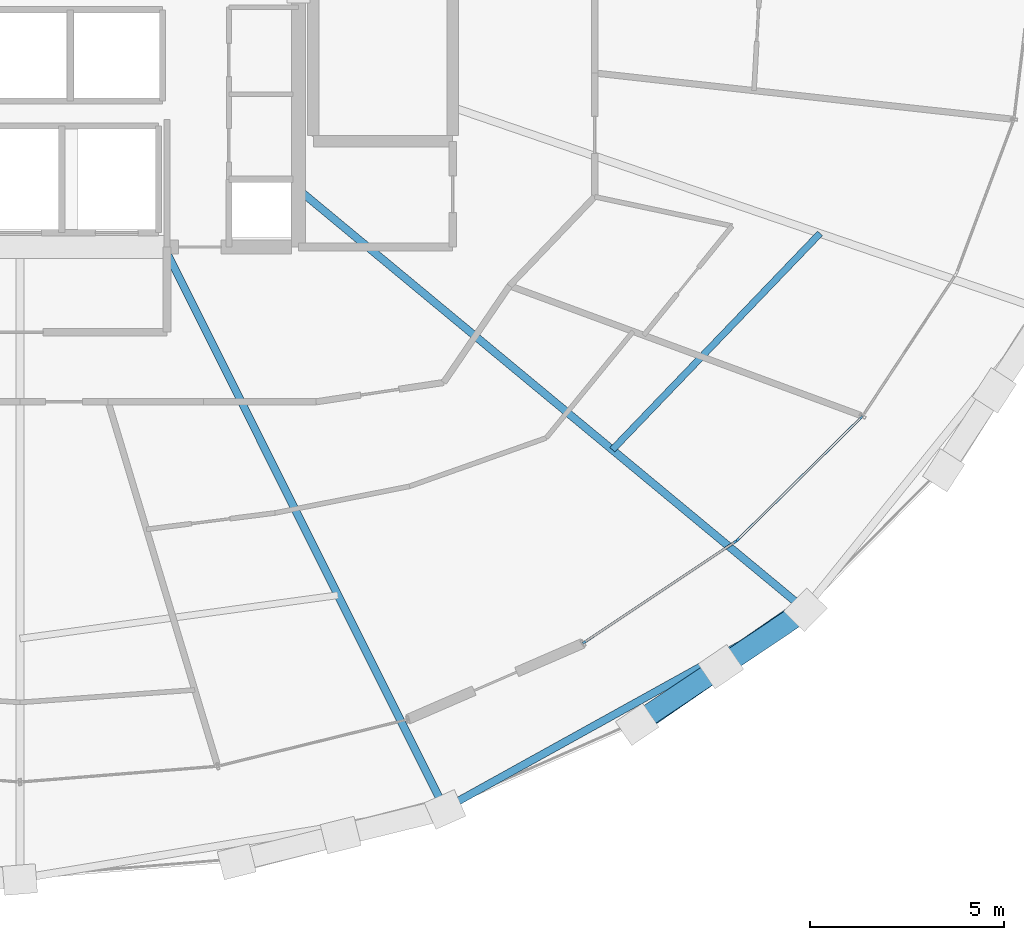
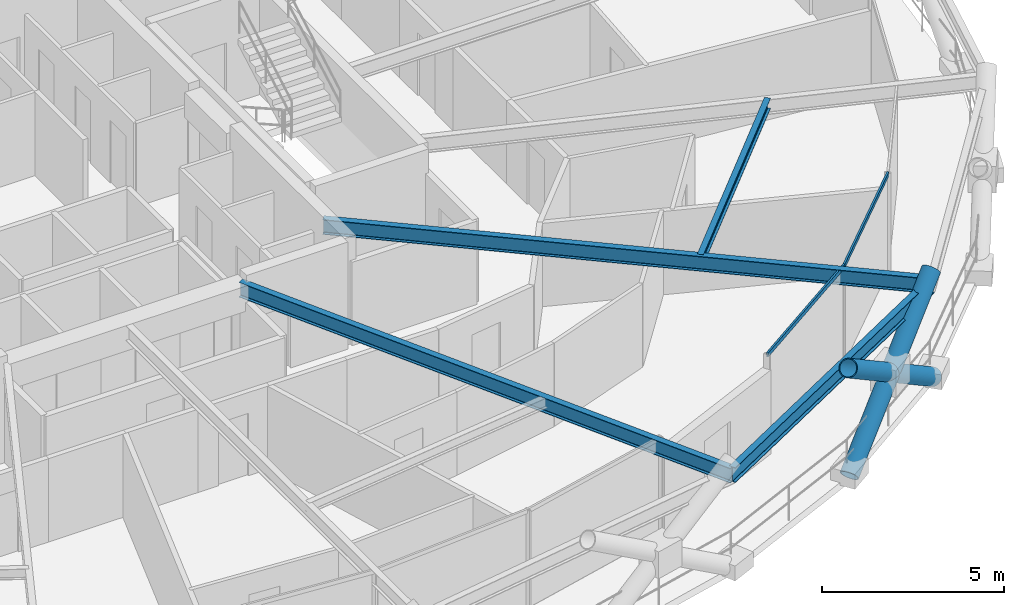
# One storey, part 5 of 20: 5 members, 4 beams, 1 element without a shape of its own.
"""IFC4 building model written with IfcOpenShell, lengths in metres."""

from ifc_helpers import new_model, si_unit, direction, frame, origin, origin_2d, place, context, subcontext, project, spatial, hollow_rectangle, hollow_circle, i_section, extrude, material, layer, layer_set, material_profile, profile_set, type_object, element, aggregate, save


model = new_model("IFC4")

# Units and contexts
model_context = context("Model", 3, precision=1e-05, world=origin(), true_north=direction((0.0, 1.0)))
body_context = subcontext(model_context, "Body", "Model", "MODEL_VIEW")
ifc_project = project(units=[si_unit("LENGTHUNIT", "METRE"), si_unit("AREAUNIT", "SQUARE_METRE"), si_unit("VOLUMEUNIT", "CUBIC_METRE"), si_unit("PLANEANGLEUNIT", "RADIAN"), si_unit("MASSUNIT", "GRAM", prefix="KILO")], contexts=[model_context])

# Site, building, storey
site_placement = place(None, origin())
site = spatial("IfcSite", under=ifc_project, at=site_placement, CompositionType="ELEMENT")
building_placement = place(site_placement, origin())
building = spatial("IfcBuilding", under=site, at=building_placement, Name="Veldorina Hangang Commons", CompositionType="ELEMENT")
storey_placement = place(building_placement, frame((0.0, 0.0, 117.199951171875)))
storey = spatial("IfcBuildingStorey", under=building, at=storey_placement, Name="L29", CompositionType="ELEMENT", Elevation=117.199951171875)

# Beams
ifc_material_1 = material(Name="Steel SM420-TMC", Category="steel")
ifc_material_profile_1 = material_profile(ifc_material_1, i_section(OverallWidth=0.199951171875, OverallDepth=0.5, WebThickness=0.010009765625, FlangeThickness=0.01611328125, FilletRadius=0.01611328125, at=origin_2d()), Name="H-500x200x10x16")
ifc_profile_set_1 = profile_set([ifc_material_profile_1], Name="Steel SM420-TMC")
beam_type_1 = type_object("IfcBeamType", Name="BM-FG500", PredefinedType="BEAM", material=ifc_profile_set_1)
beam_1_placement = place(storey_placement, frame((35.72216796875, 16.550048828125, 3.10009765625), z_axis=(0.446948690649, -0.894559594397, 0.0), x_axis=(0.894559594397, 0.446948690649, 0.0)))
element("IfcBeam", 1, at=beam_1_placement, inside=storey, type_object=beam_type_1, Name="L29 radial floor girder 14", PredefinedType="BEAM", context=body_context, shape_type="SweptSolid", body=[
    extrude(i_section(OverallWidth=0.199951171875, OverallDepth=0.5, WebThickness=0.010009765625, FlangeThickness=0.01611328125, FilletRadius=0.01611328125, at=origin_2d()), origin(), (0.0, 0.0, 1.0), 16.2216796875),
])
beam_2_placement = place(storey_placement, frame((39.199951171875, 18.031005859375, 3.10009765625), z_axis=(0.769841337757, -0.638235312937, 0.0), x_axis=(0.638235312937, 0.769841337757, 0.0)))
element("IfcBeam", 2, at=beam_2_placement, inside=storey, type_object=beam_type_1, Name="L29 radial floor girder 15", PredefinedType="BEAM", context=body_context, shape_type="SweptSolid", body=[
    extrude(i_section(OverallWidth=0.199951171875, OverallDepth=0.5, WebThickness=0.010009765625, FlangeThickness=0.01611328125, FilletRadius=0.01611328125, at=origin_2d()), origin(), (0.0, 0.0, 1.0), 16.9833984375),
])
ifc_material_2 = material(Name="Steel SM355-TMC", Category="steel")
ifc_material_profile_2 = material_profile(ifc_material_2, i_section(OverallWidth=0.175048828125, OverallDepth=0.35009765625, WebThickness=0.007080078125, FlangeThickness=0.010986328125, FilletRadius=0.012939453125, at=origin_2d()), Name="H-350x175x7x11")
ifc_profile_set_2 = profile_set([ifc_material_profile_2], Name="Steel SM355-TMC")
beam_type_2 = type_object("IfcBeamType", Name="BM-JST350", PredefinedType="JOIST", material=ifc_profile_set_2)
beam_3_placement = place(storey_placement, frame((47.30615234375, 11.310546875, 3.175048828125), z_axis=(0.692465587052, 0.721450906679, 0.0), x_axis=(-0.721450906679, 0.692465587052, 0.0)))
element("IfcBeam", 3, at=beam_3_placement, inside=storey, type_object=beam_type_2, Name="L29 secondary floor joist 15", PredefinedType="JOIST", context=body_context, shape_type="SweptSolid", body=[
    extrude(i_section(OverallWidth=0.175048828125, OverallDepth=0.35009765625, WebThickness=0.007080078125, FlangeThickness=0.010986328125, FilletRadius=0.012939453125, at=origin_2d()), origin(), (0.0, 0.0, 1.0), 7.7490234375),
])
ifc_material_profile_3 = material_profile(ifc_material_1, i_section(OverallWidth=0.199951171875, OverallDepth=0.5, WebThickness=0.010009765625, FlangeThickness=0.01611328125, FilletRadius=0.01611328125, at=origin_2d()), Name="H-500x200x10x16")
ifc_profile_set_3 = profile_set([ifc_material_profile_3], Name="Steel SM420-TMC")
beam_type_3 = type_object("IfcBeamType", Name="BM-RB500", PredefinedType="BEAM", material=ifc_profile_set_3)
beam_4_placement = place(storey_placement, frame((42.972412109375, 2.038818359375, 3.10009765625), z_axis=(0.874753328525, 0.484568482503, 0.0), x_axis=(-0.484568482503, 0.874753328525, 0.0)))
element("IfcBeam", 4, at=beam_4_placement, inside=storey, type_object=beam_type_3, Name="L29 perimeter hoop ring beam 26", PredefinedType="BEAM", context=body_context, shape_type="SweptSolid", body=[
    extrude(i_section(OverallWidth=0.199951171875, OverallDepth=0.5, WebThickness=0.010009765625, FlangeThickness=0.01611328125, FilletRadius=0.01611328125, at=origin_2d()), origin(), (0.0, 0.0, 1.0), 10.6337890625),
])

# Curtain wall, members
ifc_material_3 = material(Name="Glass Low-E Triple IGU", Category="glass")
ifc_layer = layer(ifc_material_3, 0.179931640625)
ifc_layer_set = layer_set([ifc_layer], Name="Glass Low-E Triple IGU")
curtain_wall_type = type_object("IfcCurtainWallType", Name="CW-SYS-Z2", PredefinedType="NOTDEFINED", material=ifc_layer_set)
curtain_wall_placement = place(storey_placement, origin())
curtain_wall = element("IfcCurtainWall", 5, at=curtain_wall_placement, inside=storey, type_object=curtain_wall_type, Name="L29 unitised curtain wall CW-L29-R2", PredefinedType="NOTDEFINED")
ifc_material_4 = material(Name="Aluminium Anodized AA6063-T6", Category="aluminium")
ifc_material_profile_4 = material_profile(ifc_material_4, hollow_rectangle(XDim=0.06005859375, YDim=0.139892578125, WallThickness=0.00341796875, at=origin_2d()), Name="ALU-RHS-140x60x3.5")
ifc_profile_set_4 = profile_set([ifc_material_profile_4], Name="Aluminium Anodized AA6063-T6")
member_type_1 = type_object("IfcMemberType", Name="CW-TRN-140", PredefinedType="USERDEFINED", material=ifc_profile_set_4)
member_1_placement = place(storey_placement, frame((46.54833984375, 6.310791015625, 3.27001953125), z_axis=(0.832026667872, 0.554735634289, 0.0), x_axis=(-0.554735634289, 0.832026667872, 0.0)))
member_1 = element("IfcMember", 6, at=member_1_placement, type_object=member_type_1, Name="CW-L29-R2 facet 1 transom 1", ObjectType="TRANSOM", PredefinedType="USERDEFINED", context=body_context, shape_type="SweptSolid", body=[
    extrude(hollow_rectangle(XDim=0.06005859375, YDim=0.139892578125, WallThickness=0.00341796875, at=origin_2d()), origin(), (0.0, 0.0, 1.0), 4.769287109375),
])
member_2_placement = place(storey_placement, frame((50.5166015625, 8.95654296875, 3.27001953125), z_axis=(0.71066735761, 0.703528184814, 0.0), x_axis=(-0.703528184814, 0.71066735761, 0.0)))
member_2 = element("IfcMember", 7, at=member_2_placement, type_object=member_type_1, Name="CW-L29-R2 facet 2 transom 1", ObjectType="TRANSOM", PredefinedType="USERDEFINED", context=body_context, shape_type="SweptSolid", body=[
    extrude(hollow_rectangle(XDim=0.06005859375, YDim=0.139892578125, WallThickness=0.00341796875, at=origin_2d()), origin(), (0.0, 0.0, 1.0), 4.58251953125),
])
aggregate(curtain_wall, [member_1, member_2])

# Members
ifc_material_profile_5 = material_profile(ifc_material_1, hollow_circle(Radius=0.27490234375, WallThickness=0.028076171875, at=origin_2d()), Name="CHS-550x28")
ifc_profile_set_5 = profile_set([ifc_material_profile_5], Name="Steel SM420-TMC")
member_type_2 = type_object("IfcMemberType", Name="DG-CHS550", PredefinedType="BRACE", material=ifc_profile_set_5)
member_3_placement = place(storey_placement, frame((47.948486328125, 4.215576171875, 0.0), z_axis=(0.679026301726, 0.467988471296, 0.565605933754), x_axis=(-0.56748185944, 0.823385899325, 0.0)))
element("IfcMember", 8, at=member_3_placement, inside=storey, type_object=member_type_2, Name="L29 continuous perimeter diagrid brace 27", PredefinedType="BRACE", context=body_context, shape_type="SweptSolid", body=[
    extrude(hollow_circle(Radius=0.27490234375, WallThickness=0.028076171875, at=origin_2d()), origin(), (0.0, 0.0, 1.0), 6.364990234375),
])
member_4_placement = place(storey_placement, frame((52.298583984375, 7.1748046875, 0.0), z_axis=(-0.685347109623, -0.460238120379, 0.56434051058), x_axis=(0.557498049469, -0.830178248835, 0.0)))
element("IfcMember", 9, at=member_4_placement, inside=storey, type_object=member_type_2, Name="L29 split perimeter diagrid lower brace 28", PredefinedType="BRACE", context=body_context, shape_type="SweptSolid", body=[
    extrude(hollow_circle(Radius=0.27490234375, WallThickness=0.028076171875, at=origin_2d()), origin(), (0.0, 0.0, 1.0), 3.19189453125),
])
member_5_placement = place(storey_placement, frame((50.111083984375, 5.705810546875, 1.80126953125), z_axis=(-0.685325054397, -0.460304378288, 0.564313254447), x_axis=(0.557565725666, -0.830132797547, 0.0)))
element("IfcMember", 10, at=member_5_placement, inside=storey, type_object=member_type_2, Name="L29 split perimeter diagrid upper brace 28", PredefinedType="BRACE", context=body_context, shape_type="SweptSolid", body=[
    extrude(hollow_circle(Radius=0.27490234375, WallThickness=0.028076171875, at=origin_2d()), origin(), (0.0, 0.0, 1.0), 3.187744140625),
])

save(model, "model.ifc")
